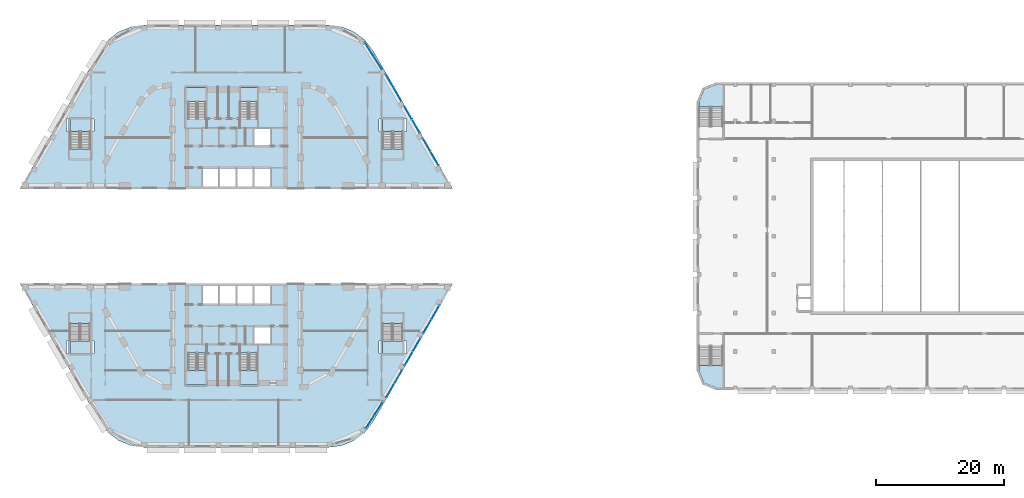
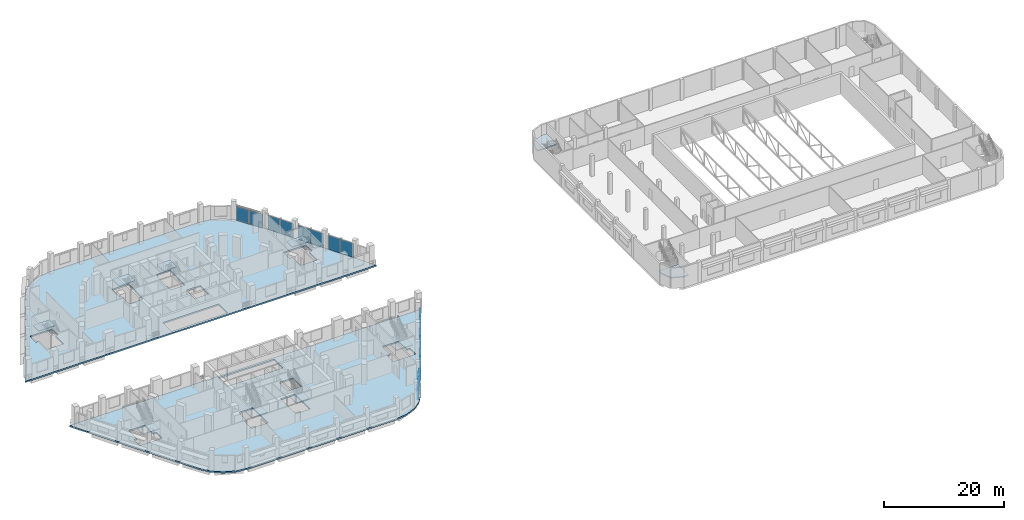
# One storey, part 17 of 47: 16 plates, 12 slabs, 18 elements without a shape of their own.
"""IFC4 building model written with IfcOpenShell, lengths in metres."""

from ifc_helpers import new_model, si_unit, direction, frame, origin, origin_2d, place, context, subcontext, project, spatial, polyline, rectangle, outline, extrude, material, layer, layer_set, type_object, element, aggregate, save


model = new_model("IFC4")

# Units and contexts
model_context = context("Model", 3, precision=1e-05, world=origin(), true_north=direction((0.0, 1.0)))
body_context = subcontext(model_context, "Body", "Model", "MODEL_VIEW")
ifc_project = project(units=[si_unit("LENGTHUNIT", "METRE"), si_unit("AREAUNIT", "SQUARE_METRE"), si_unit("VOLUMEUNIT", "CUBIC_METRE"), si_unit("PLANEANGLEUNIT", "RADIAN"), si_unit("MASSUNIT", "GRAM", prefix="KILO")], contexts=[model_context])

# Site, building, storey
site_placement = place(None, origin())
site = spatial("IfcSite", under=ifc_project, at=site_placement, CompositionType="ELEMENT")
building_placement = place(site_placement, origin())
building = spatial("IfcBuilding", under=site, at=building_placement, Name="Nakaniwa Court", CompositionType="ELEMENT")
storey_placement = place(building_placement, frame((0.0, 0.0, 15.60009765625)))
storey = spatial("IfcBuildingStorey", under=building, at=storey_placement, Name="L03", CompositionType="ELEMENT", Elevation=15.60009765625)

# Slabs
ifc_material_1 = material(Name="Concrete C100/115", Category="concrete")
ifc_layer_1 = layer(ifc_material_1, 0.300048828125)
ifc_layer_set_1 = layer_set([ifc_layer_1], Name="Concrete C100/115")
slab_type_1 = type_object("IfcSlabType", Name="Concrete C100/115 post tensioned floor slab 300", PredefinedType="FLOOR", material=ifc_layer_set_1)
slab_1_placement = place(storey_placement, frame((0.0, 0.0, -0.300048828125)))
element("IfcSlab", 1, at=slab_1_placement, inside=storey, type_object=slab_type_1, Name="FLOOR SLAB", PredefinedType="FLOOR", context=body_context, shape_type="SweptSolid", body=[
    extrude(outline(polyline([(101.362060546875, 51.0), (113.832763671875, 72.60009765625), (46.167236328125, 72.60009765625), (58.637939453125, 51.0), (59.909423828125, 49.343017578125), (61.566162109375, 48.07177734375), (63.49560546875, 47.272705078125), (65.566162109375, 47.0), (94.433837890625, 47.0), (96.50439453125, 47.272705078125), (98.433837890625, 48.07177734375), (100.090576171875, 49.343017578125), (101.362060546875, 51.0)]), holes=[polyline([(72.0849609375, 59.014892578125), (72.0849609375, 56.68505859375), (75.264892578125, 56.68505859375), (75.264892578125, 59.014892578125), (75.22509765625, 59.014892578125), (75.22509765625, 61.7099609375), (72.47509765625, 61.7099609375), (72.47509765625, 59.014892578125), (72.0849609375, 59.014892578125)]), polyline([(53.93505859375, 61.675048828125), (53.93505859375, 61.635009765625), (57.215087890625, 61.635009765625), (57.215087890625, 61.675048828125), (57.72509765625, 61.675048828125), (57.72509765625, 63.625), (57.215087890625, 63.625), (57.215087890625, 63.6650390625), (57.125, 63.6650390625), (57.125, 66.360107421875), (53.97509765625, 66.360107421875), (53.97509765625, 63.6650390625), (53.93505859375, 63.6650390625), (53.93505859375, 63.625), (53.425048828125, 63.625), (53.425048828125, 61.675048828125), (53.93505859375, 61.675048828125)]), polyline([(77.300048828125, 69.300048828125), (80.0, 69.300048828125), (82.699951171875, 69.300048828125), (85.39990234375, 69.300048828125), (85.39990234375, 72.199951171875), (82.699951171875, 72.199951171875), (80.0, 72.199951171875), (77.300048828125, 72.199951171875), (74.60009765625, 72.199951171875), (74.60009765625, 69.300048828125), (77.300048828125, 69.300048828125)]), polyline([(80.52490234375, 57.324951171875), (80.635009765625, 57.324951171875), (80.635009765625, 56.68505859375), (83.31494140625, 56.68505859375), (83.31494140625, 59.014892578125), (83.27490234375, 59.014892578125), (83.27490234375, 61.7099609375), (80.52490234375, 61.7099609375), (80.52490234375, 57.324951171875)]), polyline([(102.784912109375, 61.675048828125), (102.784912109375, 61.635009765625), (106.06494140625, 61.635009765625), (106.06494140625, 61.675048828125), (106.574951171875, 61.675048828125), (106.574951171875, 63.625), (106.06494140625, 63.625), (106.06494140625, 63.6650390625), (105.97509765625, 63.6650390625), (105.97509765625, 66.360107421875), (102.824951171875, 66.360107421875), (102.824951171875, 63.6650390625), (102.784912109375, 63.6650390625), (102.784912109375, 63.625), (102.27490234375, 63.625), (102.27490234375, 61.675048828125), (102.784912109375, 61.675048828125)]), polyline([(85.39990234375, 63.10009765625), (85.39990234375, 65.89990234375), (82.699951171875, 65.89990234375), (82.699951171875, 63.10009765625), (85.39990234375, 63.10009765625)])]), origin(), (0.0, 0.0, 1.0), 0.300048828125),
])
slab_2_placement = place(storey_placement, frame((0.0, 0.0, -0.300048828125)))
element("IfcSlab", 2, at=slab_2_placement, inside=storey, type_object=slab_type_1, Name="FLOOR SLAB", PredefinedType="FLOOR", context=body_context, shape_type="SweptSolid", body=[
    extrude(outline(polyline([(58.637939453125, 109.0), (46.167236328125, 87.39990234375), (113.832763671875, 87.39990234375), (101.362060546875, 109.0), (100.090576171875, 110.656982421875), (98.433837890625, 111.92822265625), (96.50439453125, 112.727294921875), (94.433837890625, 113.0), (65.566162109375, 113.0), (63.49560546875, 112.727294921875), (61.566162109375, 111.92822265625), (59.909423828125, 110.656982421875), (58.637939453125, 109.0)]), holes=[polyline([(82.699951171875, 90.699951171875), (80.0, 90.699951171875), (77.300048828125, 90.699951171875), (74.60009765625, 90.699951171875), (74.60009765625, 87.800048828125), (77.300048828125, 87.800048828125), (80.0, 87.800048828125), (82.699951171875, 87.800048828125), (85.39990234375, 87.800048828125), (85.39990234375, 90.699951171875), (82.699951171875, 90.699951171875)]), polyline([(57.175048828125, 96.3349609375), (57.215087890625, 96.3349609375), (57.215087890625, 96.375), (57.72509765625, 96.375), (57.72509765625, 98.324951171875), (57.215087890625, 98.324951171875), (57.215087890625, 98.364990234375), (53.93505859375, 98.364990234375), (53.93505859375, 98.324951171875), (53.425048828125, 98.324951171875), (53.425048828125, 96.375), (53.93505859375, 96.375), (53.93505859375, 96.3349609375), (54.02490234375, 96.3349609375), (54.02490234375, 93.639892578125), (57.175048828125, 93.639892578125), (57.175048828125, 96.3349609375)]), polyline([(75.264892578125, 100.985107421875), (75.264892578125, 103.31494140625), (72.0849609375, 103.31494140625), (72.0849609375, 100.985107421875), (72.47509765625, 100.985107421875), (72.47509765625, 98.2900390625), (75.22509765625, 98.2900390625), (75.22509765625, 100.985107421875), (75.264892578125, 100.985107421875)]), polyline([(85.39990234375, 94.10009765625), (85.39990234375, 96.89990234375), (82.699951171875, 96.89990234375), (82.699951171875, 94.10009765625), (85.39990234375, 94.10009765625)]), polyline([(106.02490234375, 96.3349609375), (106.06494140625, 96.3349609375), (106.06494140625, 96.375), (106.574951171875, 96.375), (106.574951171875, 98.324951171875), (106.06494140625, 98.324951171875), (106.06494140625, 98.364990234375), (102.784912109375, 98.364990234375), (102.784912109375, 98.324951171875), (102.27490234375, 98.324951171875), (102.27490234375, 96.375), (102.784912109375, 96.375), (102.784912109375, 96.3349609375), (102.875, 96.3349609375), (102.875, 93.639892578125), (106.02490234375, 93.639892578125), (106.02490234375, 96.3349609375)]), polyline([(83.27490234375, 100.985107421875), (83.31494140625, 100.985107421875), (83.31494140625, 103.31494140625), (80.635009765625, 103.31494140625), (80.635009765625, 102.675048828125), (80.52490234375, 102.675048828125), (80.52490234375, 98.2900390625), (83.27490234375, 98.2900390625), (83.27490234375, 100.985107421875)])]), origin(), (0.0, 0.0, 1.0), 0.300048828125),
])

# Stair, slab
ifc_material_2 = material(Name="Concrete C40/50", Category="concrete")
stair_type_1 = type_object("IfcStairType", Name="Hall exit stair 24 risers", PredefinedType="HALF_TURN_STAIR", material=ifc_material_2)
stair_1_placement = place(storey_placement, origin())
stair_1 = element("IfcStair", 3, at=stair_1_placement, inside=storey, type_object=stair_type_1, Name="L03 Exit stair 1", PredefinedType="HALF_TURN_STAIR")
ifc_layer_2 = layer(ifc_material_2, 0.199951171875)
ifc_layer_set_2 = layer_set([ifc_layer_2], Name="Concrete C40/50")
slab_type_2 = type_object("IfcSlabType", Name="Hall stair landing 200", PredefinedType="LANDING", material=ifc_layer_set_2)
slab_3_placement = place(storey_placement, frame((0.0, 0.0, 1.89990234375)))
slab_3 = element("IfcSlab", 4, at=slab_3_placement, type_object=slab_type_2, Name="ST-H1 landing 1", PredefinedType="LANDING", context=body_context, shape_type="SweptSolid", body=[
    extrude(outline(polyline([(152.300048828125, 59.0), (153.0908203125, 57.0908203125), (155.0, 56.300048828125), (156.050048828125, 56.300048828125), (156.050048828125, 59.780029296875), (152.300048828125, 59.780029296875), (152.300048828125, 59.0)])), origin(), (0.0, 0.0, 1.0), 0.199951171875),
])
aggregate(stair_1, [slab_3])

stair_2_placement = place(storey_placement, origin())
stair_2 = element("IfcStair", 5, at=stair_2_placement, inside=storey, type_object=stair_type_1, Name="L03 Exit stair 2", PredefinedType="HALF_TURN_STAIR")
slab_4_placement = place(storey_placement, frame((0.0, 0.0, 1.89990234375)))
slab_4 = element("IfcSlab", 6, at=slab_4_placement, type_object=slab_type_2, Name="ST-H2 landing 1", PredefinedType="LANDING", context=body_context, shape_type="SweptSolid", body=[
    extrude(outline(polyline([(156.050048828125, 103.699951171875), (155.0, 103.699951171875), (153.0908203125, 102.9091796875), (152.300048828125, 101.0), (152.300048828125, 100.219970703125), (156.050048828125, 100.219970703125), (156.050048828125, 103.699951171875)])), origin(), (0.0, 0.0, 1.0), 0.199951171875),
])
aggregate(stair_2, [slab_4])

# Curtain wall, plates
ifc_material_3 = material(Name="Black anodised aluminium frame with dark low-E laminated double glazing", Category="aluminium")
ifc_layer_3 = layer(ifc_material_3, 0.199951171875)
ifc_layer_set_3 = layer_set([ifc_layer_3], Name="Black anodised aluminium frame with dark low-E laminated double glazing")
curtain_wall_type = type_object("IfcCurtainWallType", Name="Podium unitised curtain wall", PredefinedType="NOTDEFINED", material=ifc_layer_set_3)
curtain_wall_1_placement = place(storey_placement, origin())
curtain_wall_1 = element("IfcCurtainWall", 7, at=curtain_wall_1_placement, inside=storey, type_object=curtain_wall_type, Name="L03 curtain wall CW1 00", PredefinedType="NOTDEFINED")
ifc_material_4 = material(Name="Dark toughened glass", Category="glass")
ifc_layer_4 = layer(ifc_material_4, 0.008, Name="Outer pane")
ifc_material_5 = material(Name="Argon filled cavity")
ifc_layer_5 = layer(ifc_material_5, 0.016, Name="Cavity")
ifc_material_6 = material(Name="Dark laminated safety glass", Category="glass")
ifc_layer_6 = layer(ifc_material_6, 0.008, Name="Inner pane")
ifc_layer_set_4 = layer_set([ifc_layer_4, ifc_layer_5, ifc_layer_6], Name="Dark low-E laminated double glazing")
plate_type = type_object("IfcPlateType", Name="Podium unitised curtain wall glass panel", PredefinedType="CURTAIN_PANEL", material=ifc_layer_set_4)
plate_1_placement = place(storey_placement, frame((104.056640625, 55.8671875, 0.050048828125), z_axis=(0.0, 0.0, 1.0), x_axis=(0.499979299736, 0.866037354758, 0.0)))
plate_1 = element("IfcPlate", 8, at=plate_1_placement, type_object=plate_type, Name="CW1 panel 1.1", PredefinedType="CURTAIN_PANEL", context=body_context, shape_type="SweptSolid", body=[
    extrude(rectangle(XDim=2.40771484375, YDim=0.031982421875, at=origin_2d()), origin(), (0.0, 0.0, 1.0), 2.89990234375),
])
plate_2_placement = place(storey_placement, frame((105.29296875, 58.008544921875, 0.050048828125), z_axis=(0.0, 0.0, 1.0), x_axis=(0.499979299736, 0.866037354758, 0.0)))
plate_2 = element("IfcPlate", 9, at=plate_2_placement, type_object=plate_type, Name="CW1 panel 2.1", PredefinedType="CURTAIN_PANEL", context=body_context, shape_type="SweptSolid", body=[
    extrude(rectangle(XDim=2.40771484375, YDim=0.031982421875, at=origin_2d()), origin(), (0.0, 0.0, 1.0), 2.89990234375),
])
aggregate(curtain_wall_1, [plate_1, plate_2])

curtain_wall_2_placement = place(storey_placement, origin())
curtain_wall_2 = element("IfcCurtainWall", 10, at=curtain_wall_2_placement, inside=storey, type_object=curtain_wall_type, Name="L03 curtain wall CW1 01", PredefinedType="NOTDEFINED")
plate_3_placement = place(storey_placement, frame((106.957763671875, 60.89208984375, 0.050048828125), z_axis=(0.0, 0.0, 1.0), x_axis=(0.499987941889, 0.866032365426, 0.0)))
plate_3 = element("IfcPlate", 11, at=plate_3_placement, type_object=plate_type, Name="CW1 panel 1.1", PredefinedType="CURTAIN_PANEL", context=body_context, shape_type="SweptSolid", body=[
    extrude(rectangle(XDim=2.40771484375, YDim=0.031982421875, at=origin_2d()), origin(), (0.0, 0.0, 1.0), 2.89990234375),
])
plate_4_placement = place(storey_placement, frame((108.194091796875, 63.033447265625, 0.050048828125), z_axis=(0.0, 0.0, 1.0), x_axis=(0.499987941889, 0.866032365426, 0.0)))
plate_4 = element("IfcPlate", 12, at=plate_4_placement, type_object=plate_type, Name="CW1 panel 2.1", PredefinedType="CURTAIN_PANEL", context=body_context, shape_type="SweptSolid", body=[
    extrude(rectangle(XDim=2.40771484375, YDim=0.031982421875, at=origin_2d()), origin(), (0.0, 0.0, 1.0), 2.89990234375),
])
aggregate(curtain_wall_2, [plate_3, plate_4])

curtain_wall_3_placement = place(storey_placement, origin())
curtain_wall_3 = element("IfcCurtainWall", 13, at=curtain_wall_3_placement, inside=storey, type_object=curtain_wall_type, Name="L03 curtain wall CW1 02", PredefinedType="NOTDEFINED")
plate_5_placement = place(storey_placement, frame((109.85888671875, 65.9169921875, 0.050048828125), z_axis=(0.0, 0.0, 1.0), x_axis=(0.500002911009, 0.866023723106, 0.0)))
plate_5 = element("IfcPlate", 14, at=plate_5_placement, type_object=plate_type, Name="CW1 panel 1.1", PredefinedType="CURTAIN_PANEL", context=body_context, shape_type="SweptSolid", body=[
    extrude(rectangle(XDim=2.40771484375, YDim=0.031982421875, at=origin_2d()), origin(), (0.0, 0.0, 1.0), 2.89990234375),
])
plate_6_placement = place(storey_placement, frame((111.09521484375, 68.058349609375, 0.050048828125), z_axis=(0.0, 0.0, 1.0), x_axis=(0.500002911009, 0.866023723106, 0.0)))
plate_6 = element("IfcPlate", 15, at=plate_6_placement, type_object=plate_type, Name="CW1 panel 2.1", PredefinedType="CURTAIN_PANEL", context=body_context, shape_type="SweptSolid", body=[
    extrude(rectangle(XDim=2.40771484375, YDim=0.031982421875, at=origin_2d()), origin(), (0.0, 0.0, 1.0), 2.89990234375),
])
aggregate(curtain_wall_3, [plate_5, plate_6])

curtain_wall_4_placement = place(storey_placement, origin())
curtain_wall_4 = element("IfcCurtainWall", 16, at=curtain_wall_4_placement, inside=storey, type_object=curtain_wall_type, Name="L03 curtain wall CW1 26", PredefinedType="NOTDEFINED")
plate_7_placement = place(storey_placement, frame((100.89794921875, 50.982177734375, 0.050048828125), z_axis=(0.0, 0.0, 1.0), x_axis=(0.534596725914, 0.845107295343, 0.0)))
plate_7 = element("IfcPlate", 17, at=plate_7_placement, type_object=plate_type, Name="CW1 panel 1.1", PredefinedType="CURTAIN_PANEL", context=body_context, shape_type="SweptSolid", body=[
    extrude(rectangle(XDim=2.413330078125, YDim=0.031982421875, at=origin_2d()), origin(), (0.0, 0.0, 1.0), 2.89990234375),
])
plate_8_placement = place(storey_placement, frame((102.222900390625, 53.07666015625, 0.050048828125), z_axis=(0.0, 0.0, 1.0), x_axis=(0.534596725914, 0.845107295343, 0.0)))
plate_8 = element("IfcPlate", 18, at=plate_8_placement, type_object=plate_type, Name="CW1 panel 2.1", PredefinedType="CURTAIN_PANEL", context=body_context, shape_type="SweptSolid", body=[
    extrude(rectangle(XDim=2.413330078125, YDim=0.031982421875, at=origin_2d()), origin(), (0.0, 0.0, 1.0), 2.89990234375),
])
aggregate(curtain_wall_4, [plate_7, plate_8])

curtain_wall_5_placement = place(storey_placement, origin())
curtain_wall_5 = element("IfcCurtainWall", 19, at=curtain_wall_5_placement, inside=storey, type_object=curtain_wall_type, Name="L03 curtain wall CW1 40", PredefinedType="NOTDEFINED")
plate_9_placement = place(storey_placement, frame((110.993896484375, 92.1171875, 0.050048828125), z_axis=(0.0, 0.0, 1.0), x_axis=(-0.499987941889, 0.866032365426, 0.0)))
plate_9 = element("IfcPlate", 20, at=plate_9_placement, type_object=plate_type, Name="CW1 panel 1.1", PredefinedType="CURTAIN_PANEL", context=body_context, shape_type="SweptSolid", body=[
    extrude(rectangle(XDim=2.40771484375, YDim=0.031982421875, at=origin_2d()), origin(), (0.0, 0.0, 1.0), 2.89990234375),
])
plate_10_placement = place(storey_placement, frame((109.757568359375, 94.258544921875, 0.050048828125), z_axis=(0.0, 0.0, 1.0), x_axis=(-0.499987941889, 0.866032365426, 0.0)))
plate_10 = element("IfcPlate", 21, at=plate_10_placement, type_object=plate_type, Name="CW1 panel 2.1", PredefinedType="CURTAIN_PANEL", context=body_context, shape_type="SweptSolid", body=[
    extrude(rectangle(XDim=2.40771484375, YDim=0.031982421875, at=origin_2d()), origin(), (0.0, 0.0, 1.0), 2.89990234375),
])
aggregate(curtain_wall_5, [plate_9, plate_10])

curtain_wall_6_placement = place(storey_placement, origin())
curtain_wall_6 = element("IfcCurtainWall", 22, at=curtain_wall_6_placement, inside=storey, type_object=curtain_wall_type, Name="L03 curtain wall CW1 41", PredefinedType="NOTDEFINED")
plate_11_placement = place(storey_placement, frame((108.0927734375, 97.14208984375, 0.050048828125), z_axis=(0.0, 0.0, 1.0), x_axis=(-0.499994268761, 0.866028712692, 0.0)))
plate_11 = element("IfcPlate", 23, at=plate_11_placement, type_object=plate_type, Name="CW1 panel 1.1", PredefinedType="CURTAIN_PANEL", context=body_context, shape_type="SweptSolid", body=[
    extrude(rectangle(XDim=2.40771484375, YDim=0.031982421875, at=origin_2d()), origin(), (0.0, 0.0, 1.0), 2.89990234375),
])
plate_12_placement = place(storey_placement, frame((106.8564453125, 99.283447265625, 0.050048828125), z_axis=(0.0, 0.0, 1.0), x_axis=(-0.499994268761, 0.866028712692, 0.0)))
plate_12 = element("IfcPlate", 24, at=plate_12_placement, type_object=plate_type, Name="CW1 panel 2.1", PredefinedType="CURTAIN_PANEL", context=body_context, shape_type="SweptSolid", body=[
    extrude(rectangle(XDim=2.40771484375, YDim=0.031982421875, at=origin_2d()), origin(), (0.0, 0.0, 1.0), 2.89990234375),
])
aggregate(curtain_wall_6, [plate_11, plate_12])

curtain_wall_7_placement = place(storey_placement, origin())
curtain_wall_7 = element("IfcCurtainWall", 25, at=curtain_wall_7_placement, inside=storey, type_object=curtain_wall_type, Name="L03 curtain wall CW1 42", PredefinedType="NOTDEFINED")
plate_13_placement = place(storey_placement, frame((105.19140625, 102.1669921875, 0.050048828125), z_axis=(0.0, 0.0, 1.0), x_axis=(-0.499987941889, 0.866032365426, 0.0)))
plate_13 = element("IfcPlate", 26, at=plate_13_placement, type_object=plate_type, Name="CW1 panel 1.1", PredefinedType="CURTAIN_PANEL", context=body_context, shape_type="SweptSolid", body=[
    extrude(rectangle(XDim=2.40771484375, YDim=0.031982421875, at=origin_2d()), origin(), (0.0, 0.0, 1.0), 2.89990234375),
])
plate_14_placement = place(storey_placement, frame((103.955078125, 104.308349609375, 0.050048828125), z_axis=(0.0, 0.0, 1.0), x_axis=(-0.499987941889, 0.866032365426, 0.0)))
plate_14 = element("IfcPlate", 27, at=plate_14_placement, type_object=plate_type, Name="CW1 panel 2.1", PredefinedType="CURTAIN_PANEL", context=body_context, shape_type="SweptSolid", body=[
    extrude(rectangle(XDim=2.40771484375, YDim=0.031982421875, at=origin_2d()), origin(), (0.0, 0.0, 1.0), 2.89990234375),
])
aggregate(curtain_wall_7, [plate_13, plate_14])

curtain_wall_8_placement = place(storey_placement, origin())
curtain_wall_8 = element("IfcCurtainWall", 28, at=curtain_wall_8_placement, inside=storey, type_object=curtain_wall_type, Name="L03 curtain wall CW1 43", PredefinedType="NOTDEFINED")
plate_15_placement = place(storey_placement, frame((102.109619140625, 107.10205078125, 0.050048828125), z_axis=(0.0, 0.0, 1.0), x_axis=(-0.537644342899, 0.843171726606, 0.0)))
plate_15 = element("IfcPlate", 29, at=plate_15_placement, type_object=plate_type, Name="CW1 panel 1.1", PredefinedType="CURTAIN_PANEL", context=body_context, shape_type="SweptSolid", body=[
    extrude(rectangle(XDim=2.4306640625, YDim=0.031982421875, at=origin_2d()), origin(), (0.0, 0.0, 1.0), 2.89990234375),
])
plate_16_placement = place(storey_placement, frame((100.767822265625, 109.20654296875, 0.050048828125), z_axis=(0.0, 0.0, 1.0), x_axis=(-0.537644342899, 0.843171726606, 0.0)))
plate_16 = element("IfcPlate", 30, at=plate_16_placement, type_object=plate_type, Name="CW1 panel 2.1", PredefinedType="CURTAIN_PANEL", context=body_context, shape_type="SweptSolid", body=[
    extrude(rectangle(XDim=2.4306640625, YDim=0.031982421875, at=origin_2d()), origin(), (0.0, 0.0, 1.0), 2.89990234375),
])
aggregate(curtain_wall_8, [plate_15, plate_16])

# Stair, slab
ifc_material_7 = material(Name="Concrete C80/100", Category="concrete")
stair_type_2 = type_object("IfcStairType", Name="Dog leg stair 1300 wide 24 risers", PredefinedType="HALF_TURN_STAIR", material=ifc_material_7)
stair_3_placement = place(storey_placement, origin())
stair_3 = element("IfcStair", 31, at=stair_3_placement, inside=storey, type_object=stair_type_2, Name="L03 Stair ST1", PredefinedType="HALF_TURN_STAIR")
ifc_layer_7 = layer(ifc_material_7, 0.199951171875)
ifc_layer_set_5 = layer_set([ifc_layer_7], Name="Concrete C80/100")
slab_type_3 = type_object("IfcSlabType", Name="Stair landing concrete", PredefinedType="LANDING", material=ifc_layer_set_5)
slab_5_placement = place(storey_placement, frame((0.0, 0.0, 1.89990234375)))
slab_5 = element("IfcSlab", 32, at=slab_5_placement, type_object=slab_type_3, Name="ST1 landing 1", PredefinedType="LANDING", context=body_context, shape_type="SweptSolid", body=[
    extrude(outline(polyline([(75.22509765625, 101.02490234375), (75.22509765625, 103.27490234375), (72.125, 103.27490234375), (72.125, 101.02490234375), (75.22509765625, 101.02490234375)])), origin(), (0.0, 0.0, 1.0), 0.199951171875),
])
aggregate(stair_3, [slab_5])

stair_4_placement = place(storey_placement, origin())
stair_4 = element("IfcStair", 33, at=stair_4_placement, inside=storey, type_object=stair_type_2, Name="L03 Stair ST2", PredefinedType="HALF_TURN_STAIR")
slab_6_placement = place(storey_placement, frame((0.0, 0.0, 1.89990234375)))
slab_6 = element("IfcSlab", 34, at=slab_6_placement, type_object=slab_type_3, Name="ST2 landing 1", PredefinedType="LANDING", context=body_context, shape_type="SweptSolid", body=[
    extrude(outline(polyline([(83.27490234375, 101.02490234375), (83.27490234375, 103.27490234375), (80.675048828125, 103.27490234375), (80.675048828125, 101.02490234375), (83.27490234375, 101.02490234375)])), origin(), (0.0, 0.0, 1.0), 0.199951171875),
])
aggregate(stair_4, [slab_6])

stair_5_placement = place(storey_placement, origin())
stair_5 = element("IfcStair", 35, at=stair_5_placement, inside=storey, type_object=stair_type_2, Name="L03 Stair ST3", PredefinedType="HALF_TURN_STAIR")
slab_7_placement = place(storey_placement, frame((0.0, 0.0, 1.89990234375)))
slab_7 = element("IfcSlab", 36, at=slab_7_placement, type_object=slab_type_3, Name="ST3 landing 1", PredefinedType="LANDING", context=body_context, shape_type="SweptSolid", body=[
    extrude(outline(polyline([(75.22509765625, 56.72509765625), (75.22509765625, 58.97509765625), (72.125, 58.97509765625), (72.125, 56.72509765625), (75.22509765625, 56.72509765625)])), origin(), (0.0, 0.0, 1.0), 0.199951171875),
])
aggregate(stair_5, [slab_7])

stair_6_placement = place(storey_placement, origin())
stair_6 = element("IfcStair", 37, at=stair_6_placement, inside=storey, type_object=stair_type_2, Name="L03 Stair ST4", PredefinedType="HALF_TURN_STAIR")
slab_8_placement = place(storey_placement, frame((0.0, 0.0, 1.89990234375)))
slab_8 = element("IfcSlab", 38, at=slab_8_placement, type_object=slab_type_3, Name="ST4 landing 1", PredefinedType="LANDING", context=body_context, shape_type="SweptSolid", body=[
    extrude(outline(polyline([(83.27490234375, 56.72509765625), (83.27490234375, 58.97509765625), (80.675048828125, 58.97509765625), (80.675048828125, 56.72509765625), (83.27490234375, 56.72509765625)])), origin(), (0.0, 0.0, 1.0), 0.199951171875),
])
aggregate(stair_6, [slab_8])

stair_type_3 = type_object("IfcStairType", Name="Dog leg stair 1500 wide 24 risers", PredefinedType="HALF_TURN_STAIR", material=ifc_material_7)
stair_7_placement = place(storey_placement, origin())
stair_7 = element("IfcStair", 39, at=stair_7_placement, inside=storey, type_object=stair_type_3, Name="L03 Stair SS1", PredefinedType="HALF_TURN_STAIR")
slab_9_placement = place(storey_placement, frame((0.0, 0.0, 1.89990234375)))
slab_9 = element("IfcSlab", 40, at=slab_9_placement, type_object=slab_type_3, Name="SS1 landing 1", PredefinedType="LANDING", context=body_context, shape_type="SweptSolid", body=[
    extrude(outline(polyline([(106.02490234375, 96.375), (106.02490234375, 98.324951171875), (102.824951171875, 98.324951171875), (102.824951171875, 96.375), (106.02490234375, 96.375)])), origin(), (0.0, 0.0, 1.0), 0.199951171875),
])
aggregate(stair_7, [slab_9])

stair_8_placement = place(storey_placement, origin())
stair_8 = element("IfcStair", 41, at=stair_8_placement, inside=storey, type_object=stair_type_3, Name="L03 Stair SS2", PredefinedType="HALF_TURN_STAIR")
slab_10_placement = place(storey_placement, frame((0.0, 0.0, 1.89990234375)))
slab_10 = element("IfcSlab", 42, at=slab_10_placement, type_object=slab_type_3, Name="SS2 landing 1", PredefinedType="LANDING", context=body_context, shape_type="SweptSolid", body=[
    extrude(outline(polyline([(57.175048828125, 96.375), (57.175048828125, 98.324951171875), (53.97509765625, 98.324951171875), (53.97509765625, 96.375), (57.175048828125, 96.375)])), origin(), (0.0, 0.0, 1.0), 0.199951171875),
])
aggregate(stair_8, [slab_10])

stair_9_placement = place(storey_placement, origin())
stair_9 = element("IfcStair", 43, at=stair_9_placement, inside=storey, type_object=stair_type_3, Name="L03 Stair SS3", PredefinedType="HALF_TURN_STAIR")
slab_11_placement = place(storey_placement, frame((0.0, 0.0, 1.89990234375)))
slab_11 = element("IfcSlab", 44, at=slab_11_placement, type_object=slab_type_3, Name="SS3 landing 1", PredefinedType="LANDING", context=body_context, shape_type="SweptSolid", body=[
    extrude(outline(polyline([(106.02490234375, 61.675048828125), (106.02490234375, 63.625), (102.824951171875, 63.625), (102.824951171875, 61.675048828125), (106.02490234375, 61.675048828125)])), origin(), (0.0, 0.0, 1.0), 0.199951171875),
])
aggregate(stair_9, [slab_11])

stair_10_placement = place(storey_placement, origin())
stair_10 = element("IfcStair", 45, at=stair_10_placement, inside=storey, type_object=stair_type_3, Name="L03 Stair SS4", PredefinedType="HALF_TURN_STAIR")
slab_12_placement = place(storey_placement, frame((0.0, 0.0, 1.89990234375)))
slab_12 = element("IfcSlab", 46, at=slab_12_placement, type_object=slab_type_3, Name="SS4 landing 1", PredefinedType="LANDING", context=body_context, shape_type="SweptSolid", body=[
    extrude(outline(polyline([(57.175048828125, 61.675048828125), (57.175048828125, 63.625), (53.97509765625, 63.625), (53.97509765625, 61.675048828125), (57.175048828125, 61.675048828125)])), origin(), (0.0, 0.0, 1.0), 0.199951171875),
])
aggregate(stair_10, [slab_12])

save(model, "model.ifc")
